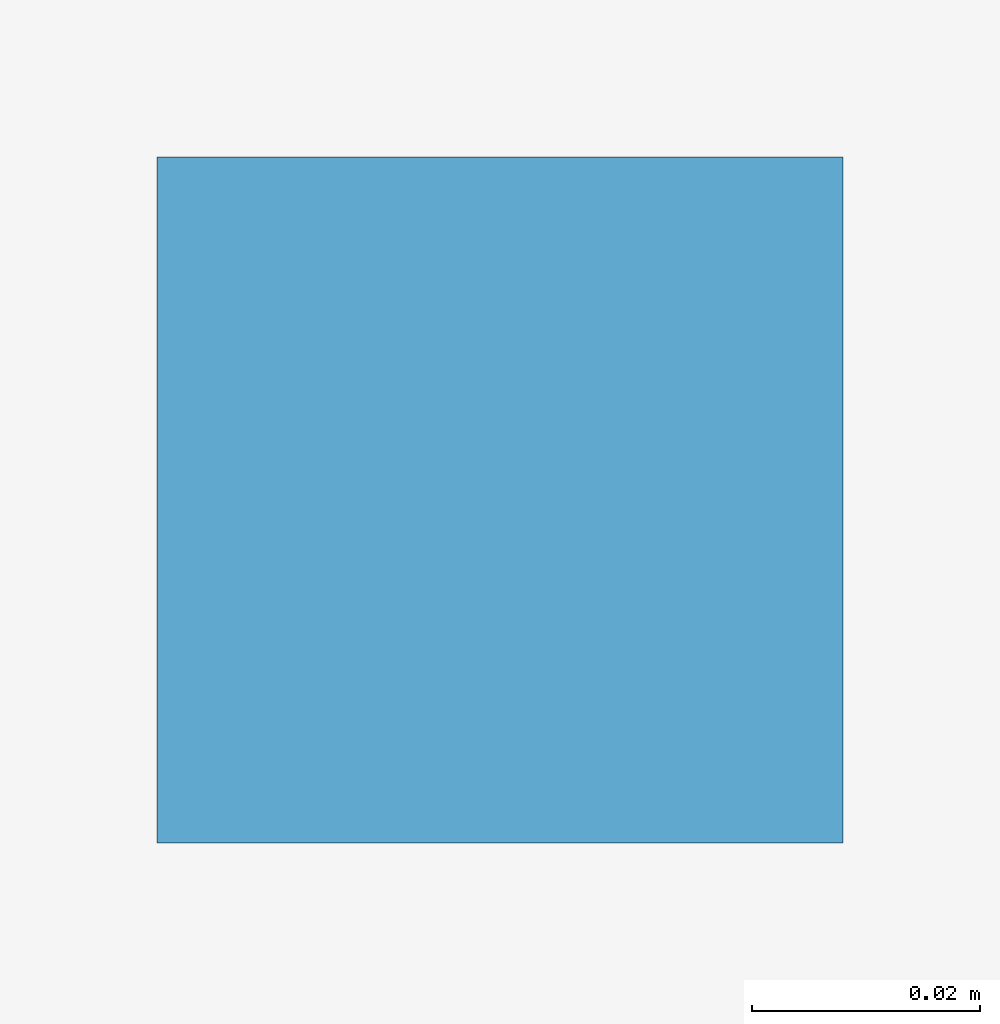
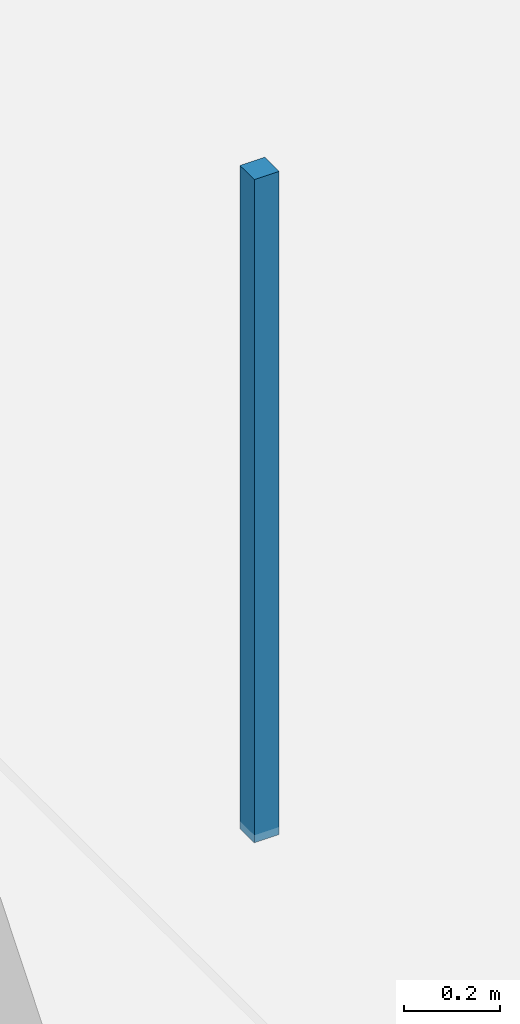
# One storey, part 86 of 126: 1 discrete accessory.
"""IFC4 building model written with IfcOpenShell, lengths in metres."""

import ifcopenshell
import ifcopenshell.guid

model = None  # the IFC model being written
_history = None  # IfcOwnerHistory: only IFC2X3 demands one
_inside = {}  # id of a spatial element -> (the spatial element, [elements in it])
_under = {}  # id of a project, library or spatial element -> (it, [spatial elements below it])
_declared = {}  # id of a project -> (the project, [libraries it declares])
_typed = {}  # id of a type object -> (the type object, [elements of that type])
_made_of = {}  # id of a material, layer set ... -> (it, [elements and type objects made of it])


def new_model(schema):
    """Start an empty IFC model of exactly this schema.

    Asked for "IFC4X3", IfcOpenShell would pick the latest addendum, in which some entities
    have other attributes; the version numbers below select the first issue.
    IFC2X3 requires an IfcOwnerHistory on every rooted entity: one is made here for all.
    """
    global model, _history
    if schema == "IFC4X3":
        model = ifcopenshell.file(schema_version=(4, 3, 0, 0))
    else:
        model = ifcopenshell.file(schema=schema)
    _inside.clear()
    _under.clear()
    _declared.clear()
    _typed.clear()
    _made_of.clear()
    _history = None
    if model.schema == "IFC2X3":
        org = make("IfcOrganization", Name="unknown")
        user = make(
            "IfcPersonAndOrganization",
            ThePerson=make("IfcPerson", FamilyName="unknown"),
            TheOrganization=org,
        )
        app = make(
            "IfcApplication",
            ApplicationDeveloper=org,
            Version="unknown",
            ApplicationFullName="unknown",
            ApplicationIdentifier="unknown",
        )
        _history = make(
            "IfcOwnerHistory",
            OwningUser=user,
            OwningApplication=app,
            ChangeAction="ADDED",
            CreationDate=0,
        )
    return model


def make(cls, **values):
    """One entity of the class cls with the attributes given. An attribute that is None is left unset."""
    return model.create_entity(
        cls, **{name: value for name, value in values.items() if value is not None}
    )


def rooted(cls, **values):
    """An entity with a GlobalId (a new one), such as an element, a storey or a relation."""
    return make(cls, GlobalId=ifcopenshell.guid.new(), OwnerHistory=_history, **values)


def si_unit(unit_type, name, prefix=None):
    """IfcSIUnit, for example si_unit("LENGTHUNIT", "METRE", prefix="MILLI")."""
    return make("IfcSIUnit", UnitType=unit_type, Prefix=prefix, Name=name)


def assignment(units):
    """IfcUnitAssignment: the units of a project."""
    return None if units is None else make("IfcUnitAssignment", Units=units)


def point(xyz):
    """IfcCartesianPoint."""
    return None if xyz is None else make("IfcCartesianPoint", Coordinates=xyz)


def direction(xyz):
    """IfcDirection."""
    return None if xyz is None else make("IfcDirection", DirectionRatios=xyz)


def frame(location, z_axis=None, x_axis=None):
    """IfcAxis2Placement3D, a coordinate frame: its origin and axes. An axis left out is left unset."""
    return make(
        "IfcAxis2Placement3D",
        Location=point(location),
        Axis=direction(z_axis),
        RefDirection=direction(x_axis),
    )


def frame_2d(location, x_axis=None):
    """IfcAxis2Placement2D, a coordinate frame in the plane: its origin and x axis."""
    return make(
        "IfcAxis2Placement2D", Location=point(location), RefDirection=direction(x_axis)
    )


def origin():
    """The frame at (0, 0, 0) with its axes left unset."""
    return frame((0.0, 0.0, 0.0))


def origin_2d():
    """The frame at (0, 0) in the plane with its x axis left unset."""
    return frame_2d((0.0, 0.0))


def place(relative_to, where):
    """IfcLocalPlacement: puts the frame where relative to a parent placement (None: the world)."""
    return make(
        "IfcLocalPlacement", PlacementRelTo=relative_to, RelativePlacement=where
    )


def context(
    kind, dimensions, precision=None, world=None, true_north=None, identifier=None
):
    """IfcGeometricRepresentationContext, for example the 3D "Model" context."""
    return make(
        "IfcGeometricRepresentationContext",
        ContextIdentifier=identifier,
        ContextType=kind,
        CoordinateSpaceDimension=dimensions,
        Precision=precision,
        WorldCoordinateSystem=world,
        TrueNorth=true_north,
    )


def subcontext(parent, identifier, kind, view, scale=None):
    """IfcGeometricRepresentationSubContext, for example "Body" below "Model"."""
    return make(
        "IfcGeometricRepresentationSubContext",
        ContextIdentifier=identifier,
        ContextType=kind,
        ParentContext=parent,
        TargetScale=scale,
        TargetView=view,
    )


def project(units=None, contexts=None):
    """IfcProject with its units and contexts."""
    return rooted(
        "IfcProject",
        Name="project",
        RepresentationContexts=contexts,
        UnitsInContext=assignment(units),
    )


def spatial(cls, under=None, at=None, **own):
    """A site, building, storey or space (cls), placed at a placement, below another one or the project."""
    s = rooted(cls, ObjectPlacement=at, **own)
    if under is not None:
        _under.setdefault(under.id(), (under, []))[1].append(s)
    return s


def profile(cls, at=None, kind="AREA", **sizes):
    """A parametric profile (cls). Its sizes go by their IFC names, for example OverallWidth=200.0."""
    return make(cls, ProfileType=kind, Position=at, **sizes)


def rectangle(**sizes):
    """IfcRectangleProfileDef."""
    return profile("IfcRectangleProfileDef", **sizes)


def extrude(swept, where, along, depth):
    """IfcExtrudedAreaSolid: the profile swept, set in the frame where, extruded along a direction by depth."""
    return make(
        "IfcExtrudedAreaSolid",
        SweptArea=swept,
        Position=where,
        ExtrudedDirection=direction(along),
        Depth=depth,
    )


def shape(context_of_items, identifier, shape_type, items):
    """IfcShapeRepresentation: the items that make up one representation, for example the "Body"."""
    return make(
        "IfcShapeRepresentation",
        ContextOfItems=context_of_items,
        RepresentationIdentifier=identifier,
        RepresentationType=shape_type,
        Items=items,
    )


def material(Name=None, Category=None):
    """IfcMaterial."""
    return make("IfcMaterial", Name=Name, Category=Category)


def made_of(thing, what):
    """Note that an element or type object is made of a material, layer set ...; save() writes the relation."""
    if what is not None:
        _made_of.setdefault(what.id(), (what, []))[1].append(thing)
    return thing


def type_object(cls, material=None, **own):
    """A type object (cls), such as IfcWallType, which elements share."""
    return made_of(rooted(cls, **own), material)


def element(
    cls,
    number,
    at=None,
    inside=None,
    cuts=None,
    type_object=None,
    material=None,
    context=None,
    identifier="Body",
    shape_type=None,
    held_by="IfcProductDefinitionShape",
    body=None,
    shapes=None,
    **own,
):
    """One element of the class cls, such as IfcWall. Its Tag is "e" and its number.

    at: its placement. inside: the storey or other place that contains it. cuts: it is an
    opening in that element (IfcRelVoidsElement). A single representation is given by context,
    identifier, shape_type and body (its items); several are given by shapes. held_by: the class
    of the entity that holds the representations. save() writes the other relations.
    """
    e = rooted(cls, Tag="e%d" % number, ObjectPlacement=at, **own)
    if body is not None:
        shapes = [shape(context, identifier, shape_type, body)]
    if shapes is not None:
        e.Representation = make(held_by, Representations=shapes)
    if inside is not None:
        _inside.setdefault(inside.id(), (inside, []))[1].append(e)
    if cuts is not None:
        rooted(
            "IfcRelVoidsElement", RelatingBuildingElement=cuts, RelatedOpeningElement=e
        )
    if type_object is not None:
        _typed.setdefault(type_object.id(), (type_object, []))[1].append(e)
    return made_of(e, material)


def aggregate(whole, parts):
    """IfcRelAggregates: a whole, such as a stair, and the parts it consists of."""
    return rooted("IfcRelAggregates", RelatingObject=whole, RelatedObjects=parts)


def save(model, path):
    """Write the relations noted so far, then the file.

    IfcRelAggregates (storeys below a building ...), IfcRelContainedInSpatialStructure (elements
    in a storey), IfcRelDefinesByType, IfcRelAssociatesMaterial and IfcRelDeclares: one each for
    every whole, place, type object, material and project.
    """
    for whole, parts in _under.values():
        aggregate(whole, parts)
    for where, things in _inside.values():
        rooted(
            "IfcRelContainedInSpatialStructure",
            RelatedElements=things,
            RelatingStructure=where,
        )
    for kind, things in _typed.values():
        rooted("IfcRelDefinesByType", RelatedObjects=things, RelatingType=kind)
    for what, things in _made_of.values():
        rooted("IfcRelAssociatesMaterial", RelatedObjects=things, RelatingMaterial=what)
    for by, libraries in _declared.values():
        rooted("IfcRelDeclares", RelatingContext=by, RelatedDefinitions=libraries)
    model.write(path)


model = new_model("IFC4")

# Units and contexts
model_context = context("Model", 3, precision=1e-05, world=origin(), true_north=direction((0.0, 1.0)))
body_context = subcontext(model_context, "Body", "Model", "MODEL_VIEW")
ifc_project = project(units=[si_unit("LENGTHUNIT", "METRE"), si_unit("AREAUNIT", "SQUARE_METRE"), si_unit("VOLUMEUNIT", "CUBIC_METRE"), si_unit("PLANEANGLEUNIT", "RADIAN"), si_unit("MASSUNIT", "GRAM", prefix="KILO")], contexts=[model_context])

# Site, building, storey
site_placement = place(None, origin())
site = spatial("IfcSite", under=ifc_project, at=site_placement, CompositionType="ELEMENT")
building_placement = place(site_placement, origin())
building = spatial("IfcBuilding", under=site, at=building_placement, Name="Khelvaren Railside Concert Hall", CompositionType="ELEMENT")
storey_placement = place(building_placement, origin())
storey = spatial("IfcBuildingStorey", under=building, at=storey_placement, Name="L00", CompositionType="ELEMENT", Elevation=0.0)

# Discrete accessory
ifc_material = material(Name="Galvanised steel acoustic ceiling hanger rod", Category="steel")
discrete_accessory_type = type_object("IfcDiscreteAccessoryType", Name="BRK62", PredefinedType="BRACKET", material=ifc_material)
discrete_accessory_placement = place(storey_placement, frame((17.300048828125, 95.0, 3.429931640625), z_axis=(0.0, 0.0, 1.0), x_axis=(1.0, 0.0, 0.0)))
element("IfcDiscreteAccessory", 1, at=discrete_accessory_placement, inside=storey, type_object=discrete_accessory_type, Name="Acoustic Ceiling Suspension Bracket 103-1", PredefinedType="BRACKET", context=body_context, shape_type="SweptSolid", body=[
    extrude(rectangle(XDim=0.06005859375, YDim=0.06005859375, at=origin_2d()), origin(), (0.0, 0.0, 1.0), 1.68994140625),
])

save(model, "model.ifc")
